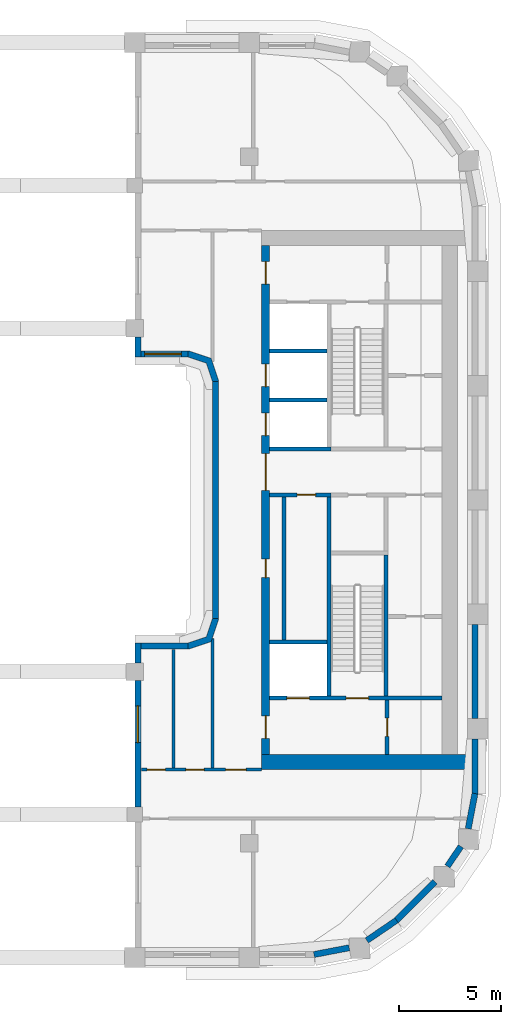
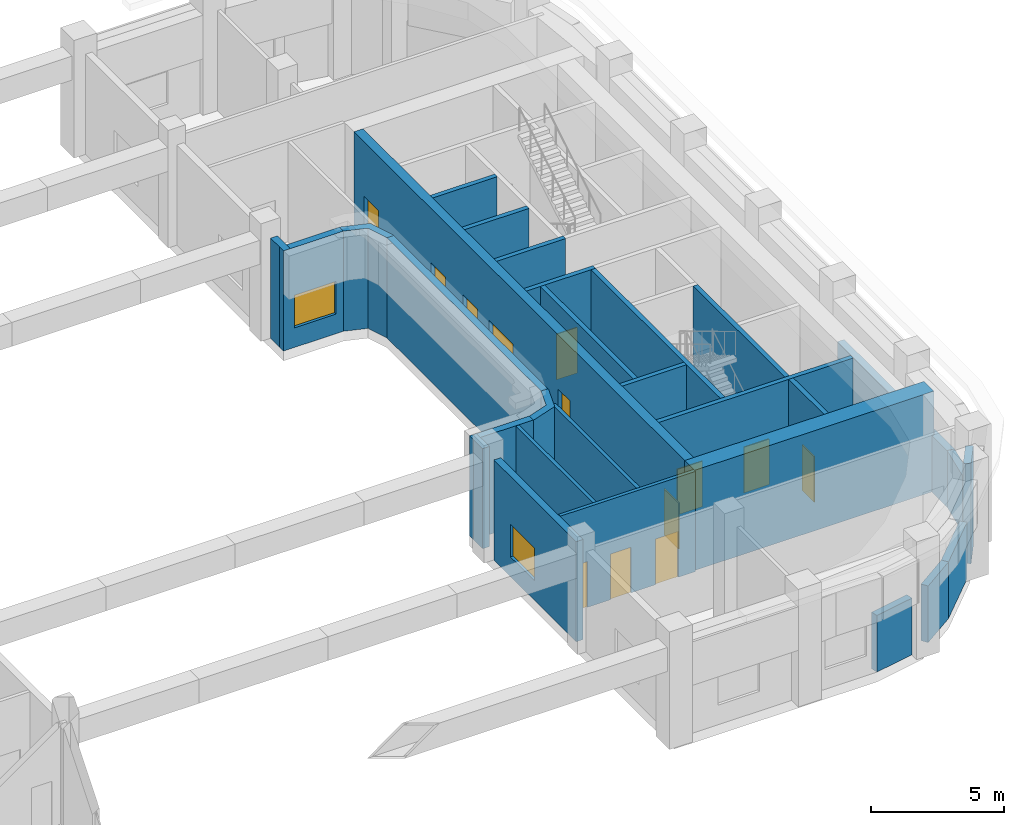
# One storey, part 4 of 14: 30 walls, 13 doors, 2 windows, 15 openings.
"""IFC4 building model written with IfcOpenShell, lengths in metres."""

from ifc_helpers import new_model, si_unit, direction, frame, frame_2d, origin, place, context, subcontext, project, spatial, polyline, rectangle, outline, extrude, material, layer, layer_set, type_object, element, fill, save


model = new_model("IFC4")

# Units and contexts
model_context = context("Model", 3, precision=1e-05, world=origin(), true_north=direction((0.0, 1.0)))
body_context = subcontext(model_context, "Body", "Model", "MODEL_VIEW")
ifc_project = project(units=[si_unit("LENGTHUNIT", "METRE"), si_unit("AREAUNIT", "SQUARE_METRE"), si_unit("VOLUMEUNIT", "CUBIC_METRE"), si_unit("PLANEANGLEUNIT", "RADIAN"), si_unit("MASSUNIT", "GRAM", prefix="KILO")], contexts=[model_context])

# Site, building, storey
site_placement = place(None, origin())
site = spatial("IfcSite", under=ifc_project, at=site_placement, CompositionType="ELEMENT")
building_placement = place(site_placement, origin())
building = spatial("IfcBuilding", under=site, at=building_placement, Name="Kiln Ring Residences", CompositionType="ELEMENT")
storey_placement = place(building_placement, frame((0.0, 0.0, 183.5)))
storey = spatial("IfcBuildingStorey", under=building, at=storey_placement, Name="L47", CompositionType="ELEMENT", Elevation=183.5)

# Wall
ifc_material_1 = material(Name="Gypsum board on steel studs", Category="steel")
ifc_layer_1 = layer(ifc_material_1, 0.199951171875)
ifc_layer_set_1 = layer_set([ifc_layer_1], Name="CORE-PARTITION-200")
wall_type_1 = type_object("IfcWallType", Name="CORE-PARTITION-200", PredefinedType="PARTITIONING", material=ifc_layer_set_1)
wall_1_placement = place(storey_placement, frame((18.5, -6.85009765625, 0.0), z_axis=(0.0, 0.0, 1.0), x_axis=(0.0, 1.0, 0.0)))
element("IfcWall", 1, at=wall_1_placement, inside=storey, type_object=wall_type_1, Name="Core partition east L47 3", PredefinedType="PARTITIONING", context=body_context, shape_type="SweptSolid", body=[
    extrude(rectangle(XDim=7.0, YDim=0.199951171875, at=frame_2d((3.5, 0.0))), origin(), (0.0, 0.0, 1.0), 4.60009765625),
])

# Wall, opening, door
wall_2_placement = place(storey_placement, frame((23.550048828125, -12.449951171875, 0.0), z_axis=(0.0, 0.0, 1.0), x_axis=(0.0, 1.0, 0.0)))
wall_2 = element("IfcWall", 2, at=wall_2_placement, inside=storey, type_object=wall_type_1, Name="Core partition east L47 5", PredefinedType="PARTITIONING", context=body_context, shape_type="SweptSolid", body=[
    extrude(rectangle(XDim=2.64990234375, YDim=0.199951171875, at=frame_2d((1.324951171875, 0.0))), origin(), (0.0, 0.0, 1.0), 4.60009765625),
])
opening_1_placement = place(wall_2_placement, frame((0.875, 0.0, 0.0)))
opening_1 = element("IfcOpeningElement", 3, at=opening_1_placement, cuts=wall_2, Name="Opening L47-CE10", PredefinedType="OPENING", context=body_context, shape_type="SweptSolid", body=[
    extrude(rectangle(XDim=0.89990234375, YDim=2.10009765625, at=frame_2d((0.449951171875, 1.050048828125))), frame((0.0, 0.10986328125, 0.0), z_axis=(0.0, -1.0, 0.0), x_axis=(1.0, 0.0, 0.0)), (0.0, 0.0, 1.0), 0.219970703125),
])
ifc_material_2 = material(Name="Steel door leaf", Category="steel")
door_type_1 = type_object("IfcDoorType", Name="CORE-DOOR-ROOM", OperationType="SINGLE_SWING_LEFT", PredefinedType="DOOR", material=ifc_material_2)
door_1_placement = place(opening_1_placement, origin())
door_1 = element("IfcDoor", 4, at=door_1_placement, inside=storey, type_object=door_type_1, Name="Store L47-CE10", OperationType="SINGLE_SWING_LEFT", OverallHeight=2.10009765625, OverallWidth=0.89990234375, PredefinedType="DOOR", context=body_context, shape_type="SweptSolid", body=[
    extrude(rectangle(XDim=0.89990234375, YDim=2.10009765625, at=frame_2d((0.449951171875, 1.050048828125))), frame((0.0, 0.02490234375, 0.0), z_axis=(0.0, -1.0, 0.0), x_axis=(1.0, 0.0, 0.0)), (0.0, 0.0, 1.0), 0.050048828125),
])
fill(opening_1, door_1)

# Wall
ifc_material_3 = material(Name="Gypsum shaft wall system")
ifc_layer_2 = layer(ifc_material_3, 0.199951171875)
ifc_layer_set_2 = layer_set([ifc_layer_2], Name="CORE-SHAFT-WALL-200")
wall_type_2 = type_object("IfcWallType", Name="CORE-SHAFT-WALL-200", PredefinedType="PARTITIONING", material=ifc_layer_set_2)
wall_3_placement = place(storey_placement, frame((17.800048828125, -6.949951171875, 0.0), z_axis=(0.0, 0.0, 1.0), x_axis=(1.0, 0.0, 0.0)))
element("IfcWall", 5, at=wall_3_placement, inside=storey, type_object=wall_type_2, Name="Core partition east L47 8", PredefinedType="PARTITIONING", context=body_context, shape_type="SweptSolid", body=[
    extrude(rectangle(XDim=2.800048828125, YDim=0.199951171875, at=frame_2d((1.39990234375, 0.0))), origin(), (0.0, 0.0, 1.0), 4.60009765625),
])

# Wall, opening, door
wall_4_placement = place(storey_placement, frame((17.800048828125, 0.25, 0.0), z_axis=(0.0, 0.0, 1.0), x_axis=(1.0, 0.0, 0.0)))
wall_4 = element("IfcWall", 6, at=wall_4_placement, inside=storey, type_object=wall_type_2, Name="Core partition east L47 9", PredefinedType="PARTITIONING", context=body_context, shape_type="SweptSolid", body=[
    extrude(rectangle(XDim=3.0, YDim=0.199951171875, at=frame_2d((1.5, 0.0))), origin(), (0.0, 0.0, 1.0), 4.60009765625),
])
opening_2_placement = place(wall_4_placement, frame((1.35009765625, 0.0, 0.0)))
opening_2 = element("IfcOpeningElement", 7, at=opening_2_placement, cuts=wall_4, Name="Opening L47-CE03", PredefinedType="OPENING", context=body_context, shape_type="SweptSolid", body=[
    extrude(rectangle(XDim=0.89990234375, YDim=2.10009765625, at=frame_2d((0.449951171875, 1.050048828125))), frame((0.0, 0.10986328125, 0.0), z_axis=(0.0, -1.0, 0.0), x_axis=(1.0, 0.0, 0.0)), (0.0, 0.0, 1.0), 0.219970703125),
])
door_2_placement = place(opening_2_placement, origin())
door_2 = element("IfcDoor", 8, at=door_2_placement, inside=storey, type_object=door_type_1, Name="Goods store L47-CE03", OperationType="SINGLE_SWING_RIGHT", OverallHeight=2.10009765625, OverallWidth=0.89990234375, PredefinedType="DOOR", context=body_context, shape_type="SweptSolid", body=[
    extrude(rectangle(XDim=0.89990234375, YDim=2.10009765625, at=frame_2d((0.449951171875, 1.050048828125))), frame((0.0, 0.02490234375, 0.0), z_axis=(0.0, -1.0, 0.0), x_axis=(1.0, 0.0, 0.0)), (0.0, 0.0, 1.0), 0.050048828125),
])
fill(opening_2, door_2)

# Walls
wall_5_placement = place(storey_placement, frame((17.800048828125, 2.5, 0.0), z_axis=(0.0, 0.0, 1.0), x_axis=(1.0, 0.0, 0.0)))
element("IfcWall", 9, at=wall_5_placement, inside=storey, type_object=wall_type_2, Name="Core partition east L47 10", PredefinedType="PARTITIONING", context=body_context, shape_type="SweptSolid", body=[
    extrude(rectangle(XDim=3.0, YDim=0.199951171875, at=frame_2d((1.5, 0.0))), origin(), (0.0, 0.0, 1.0), 4.60009765625),
])
for number, where, z_axis, x_axis, name in (
    (10, (17.800048828125, 4.89990234375, 0.0), (0.0, 0.0, 1.0), (1.0, 0.0, 0.0), "Core partition east L47 11"),
    (11, (17.800048828125, 7.300048828125, 0.0), (0.0, 0.0, 1.0), (1.0, 0.0, 0.0), "Core partition east L47 12"),
):
    element("IfcWall", number, at=place(storey_placement, frame(where, z_axis=z_axis, x_axis=x_axis)), inside=storey, type_object=wall_type_2, Name=name, PredefinedType="PARTITIONING", context=body_context, shape_type="SweptSolid", body=[
        extrude(rectangle(XDim=2.800048828125, YDim=0.199951171875, at=frame_2d((1.39990234375, 0.0))), origin(), (0.0, 0.0, 1.0), 4.60009765625),
    ])
ifc_material_4 = material(Name="Concrete C40/50", Category="concrete")
ifc_layer_3 = layer(ifc_material_4, 0.199951171875)
ifc_layer_set_3 = layer_set([ifc_layer_3], Name="CORE-WALL-RC200")
wall_type_3 = type_object("IfcWallType", Name="CORE-WALL-RC200", PredefinedType="SHEAR", material=ifc_layer_set_3)
wall_6_placement = place(storey_placement, frame((20.699951171875, -9.60009765625, 0.0), z_axis=(0.0, 0.0, 1.0), x_axis=(0.0, 1.0, 0.0)))
element("IfcWall", 12, at=wall_6_placement, inside=storey, type_object=wall_type_3, Name="Core wall east L47 2", PredefinedType="SHEAR", context=body_context, shape_type="SweptSolid", body=[
    extrude(rectangle(XDim=9.75, YDim=0.199951171875, at=frame_2d((4.875, 0.0))), origin(), (0.0, 0.0, 1.0), 4.60009765625),
])

# Wall, openings, doors
wall_7_placement = place(storey_placement, frame((17.800048828125, -9.699951171875, 0.0), z_axis=(0.0, 0.0, 1.0), x_axis=(1.0, 0.0, 0.0)))
wall_7 = element("IfcWall", 13, at=wall_7_placement, inside=storey, type_object=wall_type_3, Name="Core wall east L47 8", PredefinedType="SHEAR", context=body_context, shape_type="SweptSolid", body=[
    extrude(rectangle(XDim=8.449951171875, YDim=0.199951171875, at=frame_2d((4.22509765625, 0.0))), origin(), (0.0, 0.0, 1.0), 4.60009765625),
])
opening_3_placement = place(wall_7_placement, frame((0.85009765625, 0.0, 0.0)))
opening_3 = element("IfcOpeningElement", 14, at=opening_3_placement, cuts=wall_7, Name="Opening L47-CE01", PredefinedType="OPENING", context=body_context, shape_type="SweptSolid", body=[
    extrude(rectangle(XDim=1.10009765625, YDim=2.10009765625, at=frame_2d((0.550048828125, 1.050048828125))), frame((0.0, 0.10986328125, 0.0), z_axis=(0.0, -1.0, 0.0), x_axis=(1.0, 0.0, 0.0)), (0.0, 0.0, 1.0), 0.219970703125),
])
opening_4_placement = place(wall_7_placement, frame((3.75, 0.0, 0.0)))
opening_4 = element("IfcOpeningElement", 15, at=opening_4_placement, cuts=wall_7, Name="Opening L47-CE12", PredefinedType="OPENING", context=body_context, shape_type="SweptSolid", body=[
    extrude(rectangle(XDim=1.10009765625, YDim=2.10009765625, at=frame_2d((0.550048828125, 1.050048828125))), frame((0.0, 0.10986328125, 0.0), z_axis=(0.0, -1.0, 0.0), x_axis=(1.0, 0.0, 0.0)), (0.0, 0.0, 1.0), 0.219970703125),
])
ifc_material_5 = material(Name="Steel door leaf", Category="steel")
door_type_2 = type_object("IfcDoorType", Name="CORE-DOOR-LD", OperationType="DOUBLE_DOOR_SLIDING", PredefinedType="DOOR", material=ifc_material_5)
door_3_placement = place(opening_3_placement, origin())
door_3 = element("IfcDoor", 16, at=door_3_placement, inside=storey, type_object=door_type_2, Name="LD E-SV L47-CE01", OperationType="DOUBLE_DOOR_SLIDING", OverallHeight=2.10009765625, OverallWidth=1.10009765625, PredefinedType="DOOR", context=body_context, shape_type="SweptSolid", body=[
    extrude(rectangle(XDim=1.10009765625, YDim=2.10009765625, at=frame_2d((0.550048828125, 1.050048828125))), frame((0.0, 0.02490234375, 0.0), z_axis=(0.0, -1.0, 0.0), x_axis=(1.0, 0.0, 0.0)), (0.0, 0.0, 1.0), 0.050048828125),
])
fill(opening_3, door_3)
ifc_material_6 = material(Name="Steel door leaf", Category="steel")
door_type_3 = type_object("IfcDoorType", Name="CORE-DOOR-STAIR", OperationType="SINGLE_SWING_LEFT", PredefinedType="DOOR", material=ifc_material_6)
door_4_placement = place(opening_4_placement, origin())
door_4 = element("IfcDoor", 17, at=door_4_placement, inside=storey, type_object=door_type_3, Name="Stair E-STS L47-CE12", OperationType="SINGLE_SWING_RIGHT", OverallHeight=2.10009765625, OverallWidth=1.10009765625, PredefinedType="DOOR", context=body_context, shape_type="SweptSolid", body=[
    extrude(rectangle(XDim=1.10009765625, YDim=2.10009765625, at=frame_2d((0.550048828125, 1.050048828125))), frame((0.0, 0.02490234375, 0.0), z_axis=(0.0, -1.0, 0.0), x_axis=(1.0, 0.0, 0.0)), (0.0, 0.0, 1.0), 0.050048828125),
])
fill(opening_4, door_4)

# Wall
wall_8_placement = place(storey_placement, frame((23.5, -9.60009765625, 0.0), z_axis=(0.0, 0.0, 1.0), x_axis=(0.0, 1.0, 0.0)))
element("IfcWall", 18, at=wall_8_placement, inside=storey, type_object=wall_type_3, Name="Core wall east L47 11", PredefinedType="SHEAR", context=body_context, shape_type="SweptSolid", body=[
    extrude(rectangle(XDim=6.900146484375, YDim=0.199951171875, at=frame_2d((3.4501953125, 0.0))), origin(), (0.0, 0.0, 1.0), 4.60009765625),
])

# Wall, openings, doors
ifc_material_7 = material(Name="Concrete C60/75", Category="concrete")
ifc_layer_4 = layer(ifc_material_7, 0.39990234375)
ifc_layer_set_4 = layer_set([ifc_layer_4], Name="CORE-WALL-RC400")
wall_type_4 = type_object("IfcWallType", Name="CORE-WALL-RC400", PredefinedType="SHEAR", material=ifc_layer_set_4)
wall_9_placement = place(storey_placement, frame((17.60009765625, -12.449951171875, 0.0), z_axis=(0.0, 0.0, 1.0), x_axis=(0.0, 1.0, 0.0)))
wall_9 = element("IfcWall", 19, at=wall_9_placement, inside=storey, type_object=wall_type_4, Name="Core wall east L47 6", PredefinedType="SHEAR", context=body_context, shape_type="SweptSolid", body=[
    extrude(rectangle(XDim=24.89990234375, YDim=0.39990234375, at=frame_2d((12.449951171875, 0.0))), origin(), (0.0, 0.0, 1.0), 4.60009765625),
])
opening_5_placement = place(wall_9_placement, frame((8.64990234375, 0.0, 0.0)))
opening_5 = element("IfcOpeningElement", 20, at=opening_5_placement, cuts=wall_9, Name="Opening L47-CE02", PredefinedType="OPENING", context=body_context, shape_type="SweptSolid", body=[
    extrude(rectangle(XDim=0.89990234375, YDim=2.10009765625, at=frame_2d((0.449951171875, 1.050048828125))), frame((0.0, 0.2099609375, 0.0), z_axis=(0.0, -1.0, 0.0), x_axis=(1.0, 0.0, 0.0)), (0.0, 0.0, 1.0), 0.419921875),
])
opening_6_placement = place(wall_9_placement, frame((15.60009765625, 0.0, 0.0)))
opening_6 = element("IfcOpeningElement", 21, at=opening_6_placement, cuts=wall_9, Name="Opening L47-CE04", PredefinedType="OPENING", context=body_context, shape_type="SweptSolid", body=[
    extrude(rectangle(XDim=1.10009765625, YDim=2.10009765625, at=frame_2d((0.550048828125, 1.050048828125))), frame((0.0, 0.2099609375, 0.0), z_axis=(0.0, -1.0, 0.0), x_axis=(1.0, 0.0, 0.0)), (0.0, 0.0, 1.0), 0.419921875),
])
opening_7_placement = place(wall_9_placement, frame((18.0, 0.0, 0.0)))
opening_7 = element("IfcOpeningElement", 22, at=opening_7_placement, cuts=wall_9, Name="Opening L47-CE05", PredefinedType="OPENING", context=body_context, shape_type="SweptSolid", body=[
    extrude(rectangle(XDim=1.10009765625, YDim=2.10009765625, at=frame_2d((0.550048828125, 1.050048828125))), frame((0.0, 0.2099609375, 0.0), z_axis=(0.0, -1.0, 0.0), x_axis=(1.0, 0.0, 0.0)), (0.0, 0.0, 1.0), 0.419921875),
])
opening_8_placement = place(wall_9_placement, frame((23.02490234375, 0.0, 0.0)))
opening_8 = element("IfcOpeningElement", 23, at=opening_8_placement, cuts=wall_9, Name="Opening L47-CE07", PredefinedType="OPENING", context=body_context, shape_type="SweptSolid", body=[
    extrude(rectangle(XDim=1.10009765625, YDim=2.10009765625, at=frame_2d((0.550048828125, 1.050048828125))), frame((0.0, 0.2099609375, 0.0), z_axis=(0.0, -1.0, 0.0), x_axis=(1.0, 0.0, 0.0)), (0.0, 0.0, 1.0), 0.419921875),
])
opening_9_placement = place(wall_9_placement, frame((0.77490234375, 0.0, 0.0)))
opening_9 = element("IfcOpeningElement", 24, at=opening_9_placement, cuts=wall_9, Name="Opening L47-CE08", PredefinedType="OPENING", context=body_context, shape_type="SweptSolid", body=[
    extrude(rectangle(XDim=1.10009765625, YDim=2.10009765625, at=frame_2d((0.550048828125, 1.050048828125))), frame((0.0, 0.2099609375, 0.0), z_axis=(0.0, -1.0, 0.0), x_axis=(1.0, 0.0, 0.0)), (0.0, 0.0, 1.0), 0.419921875),
])
opening_10_placement = place(wall_9_placement, frame((12.925048828125, 0.0, 0.0)))
opening_10 = element("IfcOpeningElement", 25, at=opening_10_placement, cuts=wall_9, Name="Opening L47-CE13", PredefinedType="OPENING", context=body_context, shape_type="SweptSolid", body=[
    extrude(rectangle(XDim=1.800048828125, YDim=2.10009765625, at=frame_2d((0.89990234375, 1.050048828125))), frame((0.0, 0.2099609375, 0.0), z_axis=(0.0, -1.0, 0.0), x_axis=(1.0, 0.0, 0.0)), (0.0, 0.0, 1.0), 0.419921875),
])
door_5_placement = place(opening_6_placement, origin())
door_5 = element("IfcDoor", 26, at=door_5_placement, inside=storey, type_object=door_type_2, Name="LD E-M1 L47-CE04", OperationType="DOUBLE_DOOR_SLIDING", OverallHeight=2.10009765625, OverallWidth=1.10009765625, PredefinedType="DOOR", context=body_context, shape_type="SweptSolid", body=[
    extrude(rectangle(XDim=1.10009765625, YDim=2.10009765625, at=frame_2d((0.550048828125, 1.050048828125))), frame((0.0, 0.02490234375, 0.0), z_axis=(0.0, -1.0, 0.0), x_axis=(1.0, 0.0, 0.0)), (0.0, 0.0, 1.0), 0.050048828125),
])
fill(opening_6, door_5)
door_6_placement = place(opening_7_placement, origin())
door_6 = element("IfcDoor", 27, at=door_6_placement, inside=storey, type_object=door_type_2, Name="LD E-M2 L47-CE05", OperationType="DOUBLE_DOOR_SLIDING", OverallHeight=2.10009765625, OverallWidth=1.10009765625, PredefinedType="DOOR", context=body_context, shape_type="SweptSolid", body=[
    extrude(rectangle(XDim=1.10009765625, YDim=2.10009765625, at=frame_2d((0.550048828125, 1.050048828125))), frame((0.0, 0.02490234375, 0.0), z_axis=(0.0, -1.0, 0.0), x_axis=(1.0, 0.0, 0.0)), (0.0, 0.0, 1.0), 0.050048828125),
])
fill(opening_7, door_6)
ifc_material_8 = material(Name="Steel door leaf", Category="steel")
door_type_4 = type_object("IfcDoorType", Name="CORE-DOOR-LOBBY", OperationType="SINGLE_SWING_LEFT", PredefinedType="DOOR", material=ifc_material_8)
door_7_placement = place(opening_8_placement, origin())
door_7 = element("IfcDoor", 28, at=door_7_placement, inside=storey, type_object=door_type_4, Name="FFL L47-CE07", OperationType="SINGLE_SWING_LEFT", OverallHeight=2.10009765625, OverallWidth=1.10009765625, PredefinedType="DOOR", context=body_context, shape_type="SweptSolid", body=[
    extrude(rectangle(XDim=1.10009765625, YDim=2.10009765625, at=frame_2d((0.550048828125, 1.050048828125))), frame((0.0, 0.02490234375, 0.0), z_axis=(0.0, -1.0, 0.0), x_axis=(1.0, 0.0, 0.0)), (0.0, 0.0, 1.0), 0.050048828125),
])
fill(opening_8, door_7)
door_8_placement = place(opening_9_placement, origin())
door_8 = element("IfcDoor", 29, at=door_8_placement, inside=storey, type_object=door_type_4, Name="SVL L47-CE08", OperationType="SINGLE_SWING_RIGHT", OverallHeight=2.10009765625, OverallWidth=1.10009765625, PredefinedType="DOOR", context=body_context, shape_type="SweptSolid", body=[
    extrude(rectangle(XDim=1.10009765625, YDim=2.10009765625, at=frame_2d((0.550048828125, 1.050048828125))), frame((0.0, 0.02490234375, 0.0), z_axis=(0.0, -1.0, 0.0), x_axis=(1.0, 0.0, 0.0)), (0.0, 0.0, 1.0), 0.050048828125),
])
fill(opening_9, door_8)
ifc_material_9 = material(Name="Steel door leaf", Category="steel")
door_type_5 = type_object("IfcDoorType", Name="CORE-DOOR-PASS", OperationType="DOUBLE_DOOR_SINGLE_SWING", PredefinedType="DOOR", material=ifc_material_9)
door_9_placement = place(opening_10_placement, origin())
door_9 = element("IfcDoor", 30, at=door_9_placement, inside=storey, type_object=door_type_5, Name="Core passage L47-CE13", OperationType="DOUBLE_DOOR_SINGLE_SWING", OverallHeight=2.10009765625, OverallWidth=1.800048828125, PredefinedType="DOOR", context=body_context, shape_type="SweptSolid", body=[
    extrude(rectangle(XDim=1.800048828125, YDim=2.10009765625, at=frame_2d((0.89990234375, 1.050048828125))), frame((0.0, 0.02490234375, 0.0), z_axis=(0.0, -1.0, 0.0), x_axis=(1.0, 0.0, 0.0)), (0.0, 0.0, 1.0), 0.050048828125),
])
fill(opening_10, door_9)
door_10_placement = place(opening_5_placement, origin())
door_10 = element("IfcDoor", 31, at=door_10_placement, inside=storey, type_object=door_type_1, Name="Cleaner's store L47-CE02", OperationType="SINGLE_SWING_LEFT", OverallHeight=2.10009765625, OverallWidth=0.89990234375, PredefinedType="DOOR", context=body_context, shape_type="SweptSolid", body=[
    extrude(rectangle(XDim=0.89990234375, YDim=2.10009765625, at=frame_2d((0.449951171875, 1.050048828125))), frame((0.0, 0.02490234375, 0.0), z_axis=(0.0, -1.0, 0.0), x_axis=(1.0, 0.0, 0.0)), (0.0, 0.0, 1.0), 0.050048828125),
])
fill(opening_5, door_10)

# Walls
ifc_material_10 = material(Name="Concrete C60/75", Category="concrete")
ifc_layer_5 = layer(ifc_material_10, 0.75)
ifc_layer_set_5 = layer_set([ifc_layer_5], Name="CORE-WALL-RC750")
wall_type_5 = type_object("IfcWallType", Name="CORE-WALL-RC750", PredefinedType="SHEAR", material=ifc_layer_set_5)
wall_10_placement = place(storey_placement, frame((17.39990234375, -12.824951171875, 0.0), z_axis=(0.0, 0.0, 1.0), x_axis=(1.0, 0.0, 0.0)))
element("IfcWall", 32, at=wall_10_placement, inside=storey, type_object=wall_type_5, Name="Core wall east L47 5", PredefinedType="SHEAR", context=body_context, shape_type="SweptSolid", body=[
    extrude(rectangle(XDim=10.400146484375, YDim=0.75, at=frame_2d((5.2001953125, 0.0))), origin(), (0.0, 0.0, 1.0), 4.60009765625),
])
ifc_material_11 = material(Name="Brick masonry, dark clay brick", Category="masonry")
ifc_layer_6 = layer(ifc_material_11, 0.300048828125)
ifc_layer_set_6 = layer_set([ifc_layer_6], Name="EW-300 BRICK WALL")
wall_type_6 = type_object("IfcWallType", Name="EW-300 BRICK WALL", PredefinedType="SOLIDWALL", material=ifc_layer_set_6)
wall_11_placement = place(storey_placement, frame((13.800048828125, -7.14990234375, 0.0), z_axis=(0.0, 0.0, 1.0), x_axis=(-1.0, 0.0, 0.0)))
element("IfcWall", 33, at=wall_11_placement, inside=storey, type_object=wall_type_6, Name="Facade wall L47 30", PredefinedType="SOLIDWALL", context=body_context, shape_type="SweptSolid", body=[
    extrude(rectangle(XDim=2.60009765625, YDim=0.300048828125, at=frame_2d((1.300048828125, 0.0))), origin(), (0.0, 0.0, 1.0), 4.60009765625),
])
wall_12_placement = place(storey_placement, frame((11.35009765625, -7.0, 0.0), z_axis=(0.0, 0.0, 1.0), x_axis=(0.0, -1.0, 0.0)))
element("IfcWall", 34, at=wall_12_placement, inside=storey, type_object=wall_type_6, Name="Facade wall L47 31", PredefinedType="SOLIDWALL", context=body_context, shape_type="SweptSolid", body=[
    extrude(rectangle(XDim=0.97509765625, YDim=0.300048828125, at=frame_2d((0.487548828125, 0.0))), origin(), (0.0, 0.0, 1.0), 4.60009765625),
])

# Wall, opening, window
wall_13_placement = place(storey_placement, frame((11.35009765625, -8.824951171875, 0.0), z_axis=(0.0, 0.0, 1.0), x_axis=(0.0, -1.0, 0.0)))
wall_13 = element("IfcWall", 35, at=wall_13_placement, inside=storey, type_object=wall_type_6, Name="Facade wall L47 32", PredefinedType="SOLIDWALL", context=body_context, shape_type="SweptSolid", body=[
    extrude(rectangle(XDim=6.199951171875, YDim=0.300048828125, at=frame_2d((3.10009765625, 0.0))), origin(), (0.0, 0.0, 1.0), 4.60009765625),
])
opening_11_placement = place(wall_13_placement, frame((1.25, 0.0, 0.89990234375)))
opening_11 = element("IfcOpeningElement", 36, at=opening_11_placement, cuts=wall_13, Name="Opening LV1", PredefinedType="OPENING", context=body_context, shape_type="SweptSolid", body=[
    extrude(rectangle(XDim=1.800048828125, YDim=1.5, at=frame_2d((0.89990234375, 0.75))), frame((0.0, 0.159912109375, 0.0), z_axis=(0.0, -1.0, 0.0), x_axis=(1.0, 0.0, 0.0)), (0.0, 0.0, 1.0), 0.320068359375),
])
ifc_material_12 = material(Name="Aluminium louvre", Category="aluminium")
window_type = type_object("IfcWindowType", Name="LOUVRED VENT 1800 x 1500", PartitioningType="SINGLE_PANEL", PredefinedType="WINDOW", material=ifc_material_12)
window_1_placement = place(opening_11_placement, origin())
window_1 = element("IfcWindow", 37, at=window_1_placement, inside=storey, type_object=window_type, Name="Louvred vent L47 9", OverallHeight=1.5, OverallWidth=1.800048828125, PartitioningType="SINGLE_PANEL", PredefinedType="WINDOW", context=body_context, shape_type="SweptSolid", body=[
    extrude(rectangle(XDim=1.800048828125, YDim=1.5, at=frame_2d((0.89990234375, 0.75))), frame((0.0, 0.030029296875, 0.0), z_axis=(0.0, -1.0, 0.0), x_axis=(1.0, 0.0, 0.0)), (0.0, 0.0, 1.0), 0.06005859375),
])
fill(opening_11, window_1)

# Walls
for number, where, z_axis, x_axis, name in (
    (38, (19.971923828125, -22.252685546875, 0.0), (0.0, 0.0, 1.0), (0.982284988433, 0.187393173565, 0.0), "Facade wall L47 36"),
    (39, (22.560302734375, -21.56591796875, 0.0), (0.0, 0.0, 1.0), (0.82707645233, 0.562089443061, 0.0), "Facade wall L47 37"),
):
    element("IfcWall", number, at=place(storey_placement, frame(where, z_axis=z_axis, x_axis=x_axis)), inside=storey, type_object=wall_type_6, Name=name, PredefinedType="SOLIDWALL", context=body_context, shape_type="SweptSolid", body=[
        extrude(rectangle(XDim=1.756103515625, YDim=0.300048828125, at=frame_2d((0.8779296875, 0.0))), origin(), (0.0, 0.0, 1.0), 2.60009765625),
    ])
wall_14_placement = place(storey_placement, frame((23.990966796875, -20.596923828125, 0.0), z_axis=(0.0, 0.0, 1.0), x_axis=(0.707106781187, 0.707106781187, 0.0)))
element("IfcWall", 40, at=wall_14_placement, inside=storey, type_object=wall_type_6, Name="Facade wall L47 38", PredefinedType="SOLIDWALL", context=body_context, shape_type="SweptSolid", body=[
    extrude(rectangle(XDim=2.699951171875, YDim=0.300048828125, at=frame_2d((1.35009765625, 0.0))), origin(), (0.0, 0.0, 1.0), 2.60009765625),
])
wall_15_placement = place(storey_placement, frame((26.50439453125, -17.933837890625, 0.0), z_axis=(0.0, 0.0, 1.0), x_axis=(0.562145470373, 0.827038372833, 0.0)))
element("IfcWall", 41, at=wall_15_placement, inside=storey, type_object=wall_type_6, Name="Facade wall L47 39", PredefinedType="SOLIDWALL", context=body_context, shape_type="SweptSolid", body=[
    extrude(rectangle(XDim=1.177001953125, YDim=0.300048828125, at=frame_2d((0.58837890625, 0.0))), origin(), (0.0, 0.0, 1.0), 4.60009765625),
])
wall_16_placement = place(storey_placement, frame((27.523681640625, -16.096923828125, 0.0), z_axis=(0.0, 0.0, 1.0), x_axis=(0.187259034321, 0.982310569049, 0.0)))
element("IfcWall", 42, at=wall_16_placement, inside=storey, type_object=wall_type_6, Name="Facade wall L47 40", PredefinedType="SOLIDWALL", context=body_context, shape_type="SweptSolid", body=[
    extrude(rectangle(XDim=1.756103515625, YDim=0.300048828125, at=frame_2d((0.8779296875, 0.0))), origin(), (0.0, 0.0, 1.0), 2.60009765625),
])
wall_17_placement = place(storey_placement, frame((27.85009765625, -14.39990234375, 0.0), z_axis=(0.0, 0.0, 1.0), x_axis=(0.0, 1.0, 0.0)))
element("IfcWall", 43, at=wall_17_placement, inside=storey, type_object=wall_type_6, Name="Facade wall L47 41", PredefinedType="SOLIDWALL", context=body_context, shape_type="SweptSolid", body=[
    extrude(rectangle(XDim=2.699951171875, YDim=0.300048828125, at=frame_2d((1.35009765625, 0.0))), origin(), (0.0, 0.0, 1.0), 2.60009765625),
])
wall_18_placement = place(storey_placement, frame((27.85009765625, -10.699951171875, 0.0), z_axis=(0.0, 0.0, 1.0), x_axis=(0.0, 1.0, 0.0)))
element("IfcWall", 44, at=wall_18_placement, inside=storey, type_object=wall_type_6, Name="Facade wall L47 42", PredefinedType="SOLIDWALL", context=body_context, shape_type="SweptSolid", body=[
    extrude(rectangle(XDim=4.599853515625, YDim=0.300048828125, at=frame_2d((2.2998046875, 0.0))), origin(), (0.0, 0.0, 1.0), 2.60009765625),
])
wall_19_placement = place(storey_placement, frame((11.35009765625, 7.97509765625, 0.0), z_axis=(0.0, 0.0, 1.0), x_axis=(0.0, -1.0, 0.0)))
element("IfcWall", 45, at=wall_19_placement, inside=storey, type_object=wall_type_6, Name="Facade wall L47 56", PredefinedType="SOLIDWALL", context=body_context, shape_type="SweptSolid", body=[
    extrude(rectangle(XDim=0.97509765625, YDim=0.300048828125, at=frame_2d((0.487548828125, 0.0))), origin(), (0.0, 0.0, 1.0), 4.60009765625),
])

# Wall, opening, window
wall_20_placement = place(storey_placement, frame((11.199951171875, 7.14990234375, 0.0), z_axis=(0.0, 0.0, 1.0), x_axis=(1.0, 0.0, 0.0)))
wall_20 = element("IfcWall", 46, at=wall_20_placement, inside=storey, type_object=wall_type_6, Name="Facade wall L47 57", PredefinedType="SOLIDWALL", context=body_context, shape_type="SweptSolid", body=[
    extrude(rectangle(XDim=2.60009765625, YDim=0.300048828125, at=frame_2d((1.300048828125, 0.0))), origin(), (0.0, 0.0, 1.0), 4.60009765625),
])
opening_12_placement = place(wall_20_placement, frame((0.482421875, 0.0, 0.89990234375)))
opening_12 = element("IfcOpeningElement", 47, at=opening_12_placement, cuts=wall_20, Name="Opening LV1", PredefinedType="OPENING", context=body_context, shape_type="SweptSolid", body=[
    extrude(rectangle(XDim=1.800048828125, YDim=1.5, at=frame_2d((0.89990234375, 0.75))), frame((0.0, 0.159912109375, 0.0), z_axis=(0.0, -1.0, 0.0), x_axis=(1.0, 0.0, 0.0)), (0.0, 0.0, 1.0), 0.320068359375),
])
window_2_placement = place(opening_12_placement, origin())
window_2 = element("IfcWindow", 48, at=window_2_placement, inside=storey, type_object=window_type, Name="Louvred vent L47 17", OverallHeight=1.5, OverallWidth=1.800048828125, PartitioningType="SINGLE_PANEL", PredefinedType="WINDOW", context=body_context, shape_type="SweptSolid", body=[
    extrude(rectangle(XDim=1.800048828125, YDim=1.5, at=frame_2d((0.89990234375, 0.75))), frame((0.0, 0.030029296875, 0.0), z_axis=(0.0, -1.0, 0.0), x_axis=(1.0, 0.0, 0.0)), (0.0, 0.0, 1.0), 0.06005859375),
])
fill(opening_12, window_2)

# Walls
wall_21_placement = place(storey_placement, frame((15.14990234375, 5.800048828125, 0.0), z_axis=(0.0, 0.0, 1.0), x_axis=(0.0, -1.0, 0.0)))
element("IfcWall", 49, at=wall_21_placement, inside=storey, type_object=wall_type_6, Name="Facade wall L47 58", PredefinedType="SOLIDWALL", context=body_context, shape_type="SweptSolid", body=[
    extrude(rectangle(XDim=11.60009765625, YDim=0.300048828125, at=frame_2d((5.800048828125, 0.0))), origin(), (0.0, 0.0, 1.0), 4.60009765625),
])
placement = place(storey_placement, origin())
element("IfcWall", 50, at=placement, inside=storey, type_object=wall_type_6, Name="Corner wall L47 3", PredefinedType="SOLIDWALL", context=body_context, shape_type="SweptSolid", body=[
    extrude(outline(polyline([(13.800048828125, 7.0), (14.699951171875, 6.699951171875), (15.0, 5.800048828125), (15.300048828125, 5.800048828125), (15.300048828125, 5.8486328125), (14.937255859375, 6.937255859375), (13.8486328125, 7.300048828125), (13.800048828125, 7.300048828125), (13.800048828125, 7.0)])), origin(), (0.0, 0.0, 1.0), 4.60009765625),
])
element("IfcWall", 51, at=placement, inside=storey, type_object=wall_type_6, Name="Corner wall L47 4", PredefinedType="SOLIDWALL", context=body_context, shape_type="SweptSolid", body=[
    extrude(outline(polyline([(15.0, -5.800048828125), (14.699951171875, -6.699951171875), (13.800048828125, -7.0), (13.800048828125, -7.300048828125), (13.8486328125, -7.300048828125), (14.937255859375, -6.937255859375), (15.300048828125, -5.8486328125), (15.300048828125, -5.800048828125), (15.0, -5.800048828125)])), origin(), (0.0, 0.0, 1.0), 4.60009765625),
])

# Wall, openings, doors
ifc_material_13 = material(Name="Brick masonry partition", Category="masonry")
ifc_layer_7 = layer(ifc_material_13, 0.14990234375)
ifc_layer_set_7 = layer_set([ifc_layer_7], Name="PARTITION-150-ei60")
wall_type_7 = type_object("IfcWallType", Name="PARTITION-150-ei60", PredefinedType="PARTITIONING", material=ifc_layer_set_7)
wall_24_placement = place(storey_placement, frame((11.52001953125, -13.199951171875, 0.0), z_axis=(0.0, 0.0, 1.0), x_axis=(1.0, 0.0, 0.0)))
wall_24 = element("IfcWall", 52, at=wall_24_placement, inside=storey, type_object=wall_type_7, Name="Partition 003", PredefinedType="PARTITIONING", context=body_context, shape_type="SweptSolid", body=[
    extrude(rectangle(XDim=5.8798828125, YDim=0.14990234375, at=frame_2d((2.93994140625, 0.0))), origin(), (0.0, 0.0, 1.0), 4.60009765625),
])
opening_13_placement = place(wall_24_placement, frame((4.1298828125, 0.0, 0.0)))
opening_13 = element("IfcOpeningElement", 53, at=opening_13_placement, cuts=wall_24, Name="Opening L47-D014", PredefinedType="OPENING", context=body_context, shape_type="SweptSolid", body=[
    extrude(rectangle(XDim=1.0, YDim=2.10009765625, at=frame_2d((0.5, 1.050048828125))), frame((0.0, 0.0849609375, 0.0), z_axis=(0.0, -1.0, 0.0), x_axis=(1.0, 0.0, 0.0)), (0.0, 0.0, 1.0), 0.169921875),
])
opening_14_placement = place(wall_24_placement, frame((0.280029296875, 0.0, 0.0)))
opening_14 = element("IfcOpeningElement", 54, at=opening_14_placement, cuts=wall_24, Name="Opening L47-D015", PredefinedType="OPENING", context=body_context, shape_type="SweptSolid", body=[
    extrude(rectangle(XDim=0.89990234375, YDim=2.10009765625, at=frame_2d((0.449951171875, 1.050048828125))), frame((0.0, 0.0849609375, 0.0), z_axis=(0.0, -1.0, 0.0), x_axis=(1.0, 0.0, 0.0)), (0.0, 0.0, 1.0), 0.169921875),
])
opening_15_placement = place(wall_24_placement, frame((2.179931640625, 0.0, 0.0)))
opening_15 = element("IfcOpeningElement", 55, at=opening_15_placement, cuts=wall_24, Name="Opening L47-D016", PredefinedType="OPENING", context=body_context, shape_type="SweptSolid", body=[
    extrude(rectangle(XDim=0.89990234375, YDim=2.10009765625, at=frame_2d((0.449951171875, 1.050048828125))), frame((0.0, 0.0849609375, 0.0), z_axis=(0.0, -1.0, 0.0), x_axis=(1.0, 0.0, 0.0)), (0.0, 0.0, 1.0), 0.169921875),
])
ifc_material_14 = material(Name="Steel faced fire door leaf", Category="steel")
door_type_6 = type_object("IfcDoorType", Name="FLAT-DOOR-1000-FR", OperationType="SINGLE_SWING_LEFT", PredefinedType="DOOR", material=ifc_material_14)
door_11_placement = place(opening_13_placement, origin())
door_11 = element("IfcDoor", 56, at=door_11_placement, inside=storey, type_object=door_type_6, Name="Door L47-D014", OperationType="SINGLE_SWING_LEFT", OverallHeight=2.10009765625, OverallWidth=1.0, PredefinedType="DOOR", context=body_context, shape_type="SweptSolid", body=[
    extrude(rectangle(XDim=1.0, YDim=2.10009765625, at=frame_2d((0.5, 1.050048828125))), frame((0.0, 0.02490234375, 0.0), z_axis=(0.0, -1.0, 0.0), x_axis=(1.0, 0.0, 0.0)), (0.0, 0.0, 1.0), 0.050048828125),
])
fill(opening_13, door_11)
ifc_material_15 = material(Name="Steel faced fire door leaf", Category="steel")
door_type_7 = type_object("IfcDoorType", Name="FLAT-DOOR-900-FR", OperationType="SINGLE_SWING_LEFT", PredefinedType="DOOR", material=ifc_material_15)
door_12_placement = place(opening_14_placement, origin())
door_12 = element("IfcDoor", 57, at=door_12_placement, inside=storey, type_object=door_type_7, Name="Door L47-D015", OperationType="SINGLE_SWING_LEFT", OverallHeight=2.10009765625, OverallWidth=0.89990234375, PredefinedType="DOOR", context=body_context, shape_type="SweptSolid", body=[
    extrude(rectangle(XDim=0.89990234375, YDim=2.10009765625, at=frame_2d((0.449951171875, 1.050048828125))), frame((0.0, 0.02490234375, 0.0), z_axis=(0.0, -1.0, 0.0), x_axis=(1.0, 0.0, 0.0)), (0.0, 0.0, 1.0), 0.050048828125),
])
fill(opening_14, door_12)
door_13_placement = place(opening_15_placement, origin())
door_13 = element("IfcDoor", 58, at=door_13_placement, inside=storey, type_object=door_type_7, Name="Door L47-D016", OperationType="SINGLE_SWING_RIGHT", OverallHeight=2.10009765625, OverallWidth=0.89990234375, PredefinedType="DOOR", context=body_context, shape_type="SweptSolid", body=[
    extrude(rectangle(XDim=0.89990234375, YDim=2.10009765625, at=frame_2d((0.449951171875, 1.050048828125))), frame((0.0, 0.02490234375, 0.0), z_axis=(0.0, -1.0, 0.0), x_axis=(1.0, 0.0, 0.0)), (0.0, 0.0, 1.0), 0.050048828125),
])
fill(opening_15, door_13)

# Walls
wall_25_placement = place(storey_placement, frame((13.10009765625, -13.125, 0.0), z_axis=(0.0, 0.0, 1.0), x_axis=(0.0, 1.0, 0.0)))
element("IfcWall", 59, at=wall_25_placement, inside=storey, type_object=wall_type_7, Name="Partition 013", PredefinedType="PARTITIONING", context=body_context, shape_type="SweptSolid", body=[
    extrude(rectangle(XDim=5.804931640625, YDim=0.14990234375, at=frame_2d((2.90234375, 0.0))), origin(), (0.0, 0.0, 1.0), 4.60009765625),
])
wall_26_placement = place(storey_placement, frame((15.0, -13.125, 0.0), z_axis=(0.0, 0.0, 1.0), x_axis=(0.0, 1.0, 0.0)))
element("IfcWall", 60, at=wall_26_placement, inside=storey, type_object=wall_type_7, Name="Partition 014", PredefinedType="PARTITIONING", context=body_context, shape_type="SweptSolid", body=[
    extrude(rectangle(XDim=6.356201171875, YDim=0.14990234375, at=frame_2d((3.17822265625, 0.0))), origin(), (0.0, 0.0, 1.0), 4.60009765625),
])

save(model, "model.ifc")
